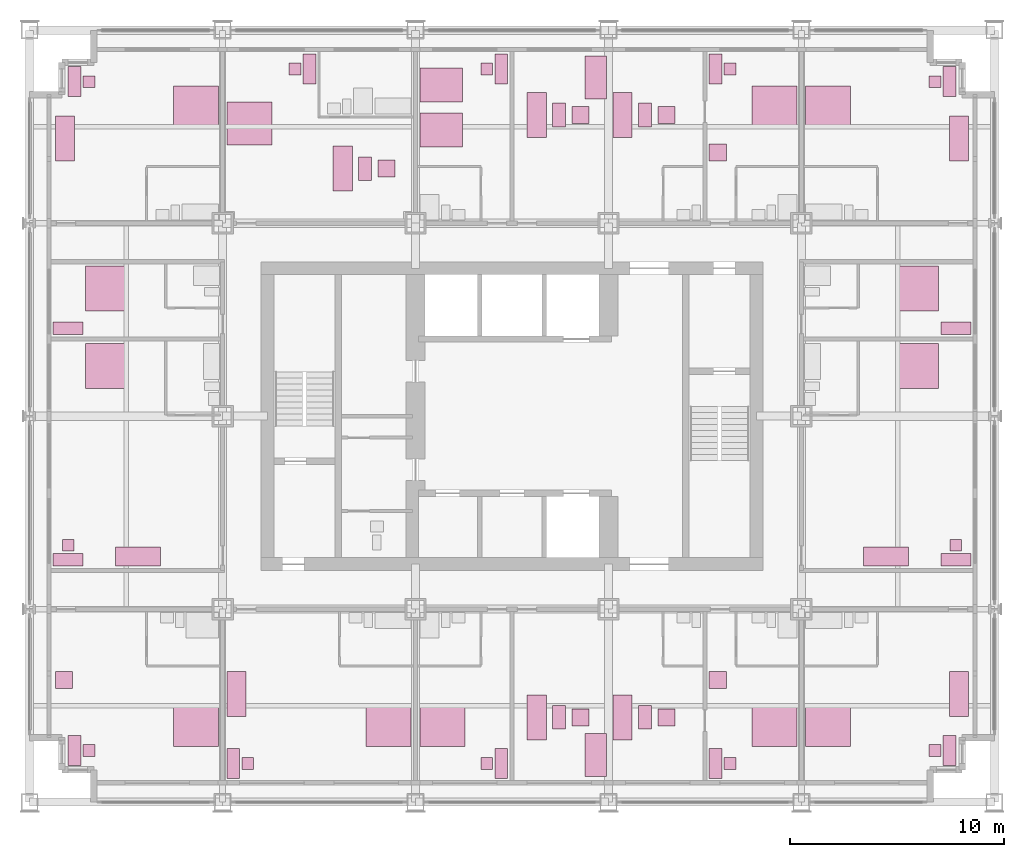
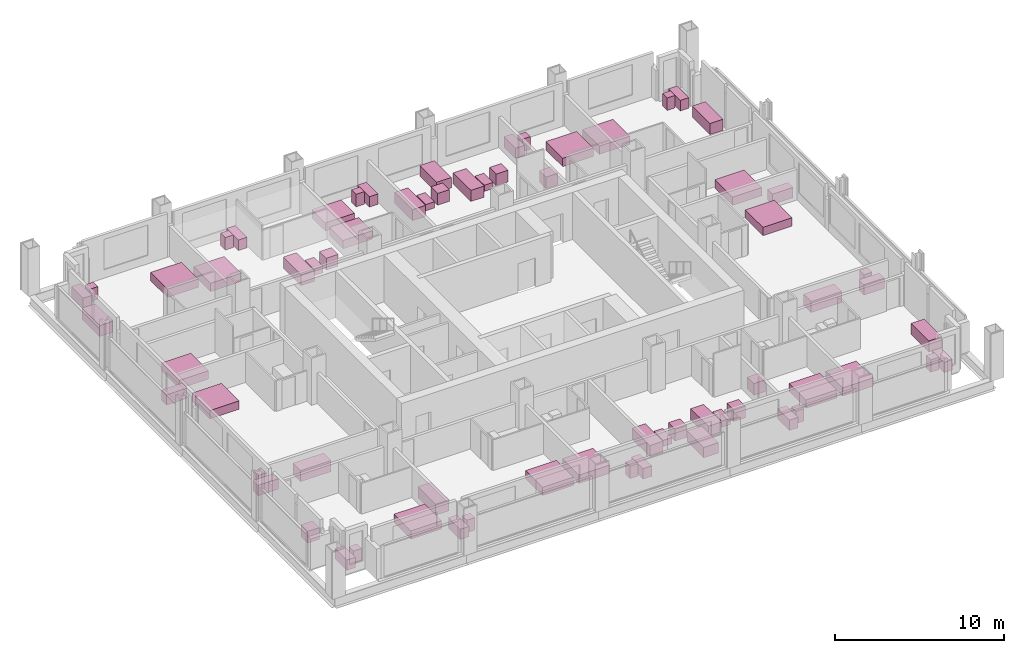
# One storey, part 17 of 17: 67 furniture elements.
"""IFC4 building model written with IfcOpenShell, lengths in metres."""

from ifc_helpers import new_model, si_unit, direction, frame, origin, origin_2d, place, context, subcontext, project, spatial, rectangle, extrude, element, save


model = new_model("IFC4")

# Units and contexts
model_context = context("Model", 3, precision=1e-05, world=origin(), true_north=direction((0.0, 1.0)))
body_context = subcontext(model_context, "Body", "Model", "MODEL_VIEW")
ifc_project = project(units=[si_unit("LENGTHUNIT", "METRE"), si_unit("AREAUNIT", "SQUARE_METRE"), si_unit("VOLUMEUNIT", "CUBIC_METRE"), si_unit("PLANEANGLEUNIT", "RADIAN"), si_unit("MASSUNIT", "GRAM", prefix="KILO")], contexts=[model_context])

# Site, building, storey
site_placement = place(None, origin())
site = spatial("IfcSite", under=ifc_project, at=site_placement, CompositionType="ELEMENT")
building_placement = place(site_placement, origin())
building = spatial("IfcBuilding", under=site, at=building_placement, Name="Loomwork Tower", CompositionType="ELEMENT")
storey_placement = place(building_placement, frame((0.0, 0.0, 152.0)))
storey = spatial("IfcBuildingStorey", under=building, at=storey_placement, Name="L41", CompositionType="ELEMENT", Elevation=152.0)

# Furniture
furniture_1_placement = place(storey_placement, frame((7.75, 3.60009765625, 0.0), z_axis=(0.0, 0.0, 1.0), x_axis=(1.0, 0.0, 0.0)))
element("IfcFurniture", 1, at=furniture_1_placement, inside=storey, Name="King bed L41", PredefinedType="BED", context=body_context, shape_type="SweptSolid", body=[
    extrude(rectangle(XDim=2.10009765625, YDim=2.0, at=origin_2d()), origin(), (0.0, 0.0, 1.0), 0.60009765625),
])
furniture_2_placement = place(storey_placement, frame((2.10009765625, 2.39990234375, 0.0), z_axis=(0.0, 0.0, 1.0), x_axis=(1.0, 0.0, 0.0)))
element("IfcFurniture", 2, at=furniture_2_placement, inside=storey, Name="Writing desk L41", PredefinedType="DESK", context=body_context, shape_type="SweptSolid", body=[
    extrude(rectangle(XDim=0.60009765625, YDim=1.39990234375, at=origin_2d()), origin(), (0.0, 0.0, 1.0), 0.75),
])
furniture_3_placement = place(storey_placement, frame((2.77490234375, 2.39990234375, 0.0), z_axis=(0.0, 0.0, 1.0), x_axis=(1.0, 0.0, 0.0)))
element("IfcFurniture", 3, at=furniture_3_placement, inside=storey, Name="Desk chair L41", PredefinedType="CHAIR", context=body_context, shape_type="SweptSolid", body=[
    extrude(rectangle(XDim=0.550048828125, YDim=0.550048828125, at=origin_2d()), origin(), (0.0, 0.0, 1.0), 0.89990234375),
])
furniture_4_placement = place(storey_placement, frame((1.60009765625, 5.699951171875, 0.0), z_axis=(0.0, 0.0, 1.0), x_axis=(1.0, 0.0, 0.0)))
element("IfcFurniture", 4, at=furniture_4_placement, inside=storey, Name="Lounge armchair L41", PredefinedType="CHAIR", context=body_context, shape_type="SweptSolid", body=[
    extrude(rectangle(XDim=0.800048828125, YDim=0.800048828125, at=origin_2d()), origin(), (0.0, 0.0, 1.0), 0.85009765625),
])
furniture_5_placement = place(storey_placement, frame((16.75, 3.60009765625, 0.0), z_axis=(0.0, 0.0, 1.0), x_axis=(1.0, 0.0, 0.0)))
element("IfcFurniture", 5, at=furniture_5_placement, inside=storey, Name="King bed L41", PredefinedType="BED", context=body_context, shape_type="SweptSolid", body=[
    extrude(rectangle(XDim=2.10009765625, YDim=2.0, at=origin_2d()), origin(), (0.0, 0.0, 1.0), 0.60009765625),
])
furniture_6_placement = place(storey_placement, frame((9.5, 1.800048828125, 0.0), z_axis=(0.0, 0.0, 1.0), x_axis=(1.0, 0.0, 0.0)))
element("IfcFurniture", 6, at=furniture_6_placement, inside=storey, Name="Writing desk L41", PredefinedType="DESK", context=body_context, shape_type="SweptSolid", body=[
    extrude(rectangle(XDim=0.60009765625, YDim=1.39990234375, at=origin_2d()), origin(), (0.0, 0.0, 1.0), 0.75),
])
furniture_7_placement = place(storey_placement, frame((10.175048828125, 1.800048828125, 0.0), z_axis=(0.0, 0.0, 1.0), x_axis=(1.0, 0.0, 0.0)))
element("IfcFurniture", 7, at=furniture_7_placement, inside=storey, Name="Desk chair L41", PredefinedType="CHAIR", context=body_context, shape_type="SweptSolid", body=[
    extrude(rectangle(XDim=0.550048828125, YDim=0.550048828125, at=origin_2d()), origin(), (0.0, 0.0, 1.0), 0.89990234375),
])
furniture_8_placement = place(storey_placement, frame((9.64990234375, 5.050048828125, 0.0), z_axis=(0.0, 0.0, 1.0), x_axis=(1.0, 0.0, 0.0)))
element("IfcFurniture", 8, at=furniture_8_placement, inside=storey, Name="Sofa L41", PredefinedType="SOFA", context=body_context, shape_type="SweptSolid", body=[
    extrude(rectangle(XDim=0.89990234375, YDim=2.10009765625, at=origin_2d()), origin(), (0.0, 0.0, 1.0), 0.800048828125),
])
furniture_9_placement = place(storey_placement, frame((19.25, 3.60009765625, 0.0), z_axis=(0.0, 0.0, 1.0), x_axis=(1.0, 0.0, 0.0)))
element("IfcFurniture", 9, at=furniture_9_placement, inside=storey, Name="King bed L41", PredefinedType="BED", context=body_context, shape_type="SweptSolid", body=[
    extrude(rectangle(XDim=2.10009765625, YDim=2.0, at=origin_2d()), origin(), (0.0, 0.0, 1.0), 0.60009765625),
])
furniture_10_placement = place(storey_placement, frame((22.0, 1.800048828125, 0.0), z_axis=(0.0, 0.0, 1.0), x_axis=(1.0, 0.0, 0.0)))
element("IfcFurniture", 10, at=furniture_10_placement, inside=storey, Name="Writing desk L41", PredefinedType="DESK", context=body_context, shape_type="SweptSolid", body=[
    extrude(rectangle(XDim=0.60009765625, YDim=1.39990234375, at=origin_2d()), origin(), (0.0, 0.0, 1.0), 0.75),
])
furniture_11_placement = place(storey_placement, frame((21.324951171875, 1.800048828125, 0.0), z_axis=(0.0, 0.0, 1.0), x_axis=(1.0, 0.0, 0.0)))
element("IfcFurniture", 11, at=furniture_11_placement, inside=storey, Name="Desk chair L41", PredefinedType="CHAIR", context=body_context, shape_type="SweptSolid", body=[
    extrude(rectangle(XDim=0.550048828125, YDim=0.550048828125, at=origin_2d()), origin(), (0.0, 0.0, 1.0), 0.89990234375),
])
furniture_12_placement = place(storey_placement, frame((23.64990234375, 3.949951171875, 0.0), z_axis=(0.0, 0.0, 1.0), x_axis=(1.0, 0.0, 0.0)))
element("IfcFurniture", 12, at=furniture_12_placement, inside=storey, Name="Sofa L41", PredefinedType="SOFA", context=body_context, shape_type="SweptSolid", body=[
    extrude(rectangle(XDim=0.89990234375, YDim=2.10009765625, at=origin_2d()), origin(), (0.0, 0.0, 1.0), 0.800048828125),
])
furniture_13_placement = place(storey_placement, frame((24.699951171875, 3.949951171875, 0.0), z_axis=(0.0, 0.0, 1.0), x_axis=(1.0, 0.0, 0.0)))
element("IfcFurniture", 13, at=furniture_13_placement, inside=storey, Name="Coffee table L41", PredefinedType="TABLE", context=body_context, shape_type="SweptSolid", body=[
    extrude(rectangle(XDim=0.60009765625, YDim=1.10009765625, at=origin_2d()), origin(), (0.0, 0.0, 1.0), 0.449951171875),
])
furniture_14_placement = place(storey_placement, frame((25.699951171875, 3.949951171875, 0.0), z_axis=(0.0, 0.0, 1.0), x_axis=(1.0, 0.0, 0.0)))
element("IfcFurniture", 14, at=furniture_14_placement, inside=storey, Name="Lounge armchair L41", PredefinedType="CHAIR", context=body_context, shape_type="SweptSolid", body=[
    extrude(rectangle(XDim=0.800048828125, YDim=0.800048828125, at=origin_2d()), origin(), (0.0, 0.0, 1.0), 0.85009765625),
])
furniture_15_placement = place(storey_placement, frame((27.64990234375, 3.949951171875, 0.0), z_axis=(0.0, 0.0, 1.0), x_axis=(1.0, 0.0, 0.0)))
element("IfcFurniture", 15, at=furniture_15_placement, inside=storey, Name="Sofa L41", PredefinedType="SOFA", context=body_context, shape_type="SweptSolid", body=[
    extrude(rectangle(XDim=0.89990234375, YDim=2.10009765625, at=origin_2d()), origin(), (0.0, 0.0, 1.0), 0.800048828125),
])
furniture_16_placement = place(storey_placement, frame((28.699951171875, 3.949951171875, 0.0), z_axis=(0.0, 0.0, 1.0), x_axis=(1.0, 0.0, 0.0)))
element("IfcFurniture", 16, at=furniture_16_placement, inside=storey, Name="Coffee table L41", PredefinedType="TABLE", context=body_context, shape_type="SweptSolid", body=[
    extrude(rectangle(XDim=0.60009765625, YDim=1.10009765625, at=origin_2d()), origin(), (0.0, 0.0, 1.0), 0.449951171875),
])
furniture_17_placement = place(storey_placement, frame((29.699951171875, 3.949951171875, 0.0), z_axis=(0.0, 0.0, 1.0), x_axis=(1.0, 0.0, 0.0)))
element("IfcFurniture", 17, at=furniture_17_placement, inside=storey, Name="Lounge armchair L41", PredefinedType="CHAIR", context=body_context, shape_type="SweptSolid", body=[
    extrude(rectangle(XDim=0.800048828125, YDim=0.800048828125, at=origin_2d()), origin(), (0.0, 0.0, 1.0), 0.85009765625),
])
furniture_18_placement = place(storey_placement, frame((26.39990234375, 2.199951171875, 0.0), z_axis=(0.0, 0.0, 1.0), x_axis=(1.0, 0.0, 0.0)))
element("IfcFurniture", 18, at=furniture_18_placement, inside=storey, Name="Dining table L41", PredefinedType="TABLE", context=body_context, shape_type="SweptSolid", body=[
    extrude(rectangle(XDim=1.0, YDim=2.0, at=origin_2d()), origin(), (0.0, 0.0, 1.0), 0.75),
])
furniture_19_placement = place(storey_placement, frame((34.75, 3.60009765625, 0.0), z_axis=(0.0, 0.0, 1.0), x_axis=(1.0, 0.0, 0.0)))
element("IfcFurniture", 19, at=furniture_19_placement, inside=storey, Name="King bed L41", PredefinedType="BED", context=body_context, shape_type="SweptSolid", body=[
    extrude(rectangle(XDim=2.10009765625, YDim=2.0, at=origin_2d()), origin(), (0.0, 0.0, 1.0), 0.60009765625),
])
furniture_20_placement = place(storey_placement, frame((32.0, 1.800048828125, 0.0), z_axis=(0.0, 0.0, 1.0), x_axis=(1.0, 0.0, 0.0)))
element("IfcFurniture", 20, at=furniture_20_placement, inside=storey, Name="Writing desk L41", PredefinedType="DESK", context=body_context, shape_type="SweptSolid", body=[
    extrude(rectangle(XDim=0.60009765625, YDim=1.39990234375, at=origin_2d()), origin(), (0.0, 0.0, 1.0), 0.75),
])
furniture_21_placement = place(storey_placement, frame((32.675048828125, 1.800048828125, 0.0), z_axis=(0.0, 0.0, 1.0), x_axis=(1.0, 0.0, 0.0)))
element("IfcFurniture", 21, at=furniture_21_placement, inside=storey, Name="Desk chair L41", PredefinedType="CHAIR", context=body_context, shape_type="SweptSolid", body=[
    extrude(rectangle(XDim=0.550048828125, YDim=0.550048828125, at=origin_2d()), origin(), (0.0, 0.0, 1.0), 0.89990234375),
])
furniture_22_placement = place(storey_placement, frame((32.10009765625, 5.699951171875, 0.0), z_axis=(0.0, 0.0, 1.0), x_axis=(1.0, 0.0, 0.0)))
element("IfcFurniture", 22, at=furniture_22_placement, inside=storey, Name="Lounge armchair L41", PredefinedType="CHAIR", context=body_context, shape_type="SweptSolid", body=[
    extrude(rectangle(XDim=0.800048828125, YDim=0.800048828125, at=origin_2d()), origin(), (0.0, 0.0, 1.0), 0.85009765625),
])
furniture_23_placement = place(storey_placement, frame((37.25, 3.60009765625, 0.0), z_axis=(0.0, 0.0, 1.0), x_axis=(1.0, 0.0, 0.0)))
element("IfcFurniture", 23, at=furniture_23_placement, inside=storey, Name="King bed L41", PredefinedType="BED", context=body_context, shape_type="SweptSolid", body=[
    extrude(rectangle(XDim=2.10009765625, YDim=2.0, at=origin_2d()), origin(), (0.0, 0.0, 1.0), 0.60009765625),
])
furniture_24_placement = place(storey_placement, frame((42.89990234375, 2.39990234375, 0.0), z_axis=(0.0, 0.0, 1.0), x_axis=(1.0, 0.0, 0.0)))
element("IfcFurniture", 24, at=furniture_24_placement, inside=storey, Name="Writing desk L41", PredefinedType="DESK", context=body_context, shape_type="SweptSolid", body=[
    extrude(rectangle(XDim=0.60009765625, YDim=1.39990234375, at=origin_2d()), origin(), (0.0, 0.0, 1.0), 0.75),
])
furniture_25_placement = place(storey_placement, frame((42.22509765625, 2.39990234375, 0.0), z_axis=(0.0, 0.0, 1.0), x_axis=(1.0, 0.0, 0.0)))
element("IfcFurniture", 25, at=furniture_25_placement, inside=storey, Name="Desk chair L41", PredefinedType="CHAIR", context=body_context, shape_type="SweptSolid", body=[
    extrude(rectangle(XDim=0.550048828125, YDim=0.550048828125, at=origin_2d()), origin(), (0.0, 0.0, 1.0), 0.89990234375),
])
furniture_26_placement = place(storey_placement, frame((43.35009765625, 5.050048828125, 0.0), z_axis=(0.0, 0.0, 1.0), x_axis=(1.0, 0.0, 0.0)))
element("IfcFurniture", 26, at=furniture_26_placement, inside=storey, Name="Sofa L41", PredefinedType="SOFA", context=body_context, shape_type="SweptSolid", body=[
    extrude(rectangle(XDim=0.89990234375, YDim=2.10009765625, at=origin_2d()), origin(), (0.0, 0.0, 1.0), 0.800048828125),
])
furniture_27_placement = place(storey_placement, frame((7.75, 32.39990234375, 0.0), z_axis=(0.0, 0.0, 1.0), x_axis=(1.0, 0.0, 0.0)))
element("IfcFurniture", 27, at=furniture_27_placement, inside=storey, Name="King bed L41", PredefinedType="BED", context=body_context, shape_type="SweptSolid", body=[
    extrude(rectangle(XDim=2.10009765625, YDim=2.0, at=origin_2d()), origin(), (0.0, 0.0, 1.0), 0.60009765625),
])
furniture_28_placement = place(storey_placement, frame((2.10009765625, 33.60009765625, 0.0), z_axis=(0.0, 0.0, 1.0), x_axis=(1.0, 0.0, 0.0)))
element("IfcFurniture", 28, at=furniture_28_placement, inside=storey, Name="Writing desk L41", PredefinedType="DESK", context=body_context, shape_type="SweptSolid", body=[
    extrude(rectangle(XDim=0.60009765625, YDim=1.39990234375, at=origin_2d()), origin(), (0.0, 0.0, 1.0), 0.75),
])
furniture_29_placement = place(storey_placement, frame((2.77490234375, 33.60009765625, 0.0), z_axis=(0.0, 0.0, 1.0), x_axis=(1.0, 0.0, 0.0)))
element("IfcFurniture", 29, at=furniture_29_placement, inside=storey, Name="Desk chair L41", PredefinedType="CHAIR", context=body_context, shape_type="SweptSolid", body=[
    extrude(rectangle(XDim=0.550048828125, YDim=0.550048828125, at=origin_2d()), origin(), (0.0, 0.0, 1.0), 0.89990234375),
])
furniture_30_placement = place(storey_placement, frame((1.64990234375, 30.949951171875, 0.0), z_axis=(0.0, 0.0, 1.0), x_axis=(1.0, 0.0, 0.0)))
element("IfcFurniture", 30, at=furniture_30_placement, inside=storey, Name="Sofa L41", PredefinedType="SOFA", context=body_context, shape_type="SweptSolid", body=[
    extrude(rectangle(XDim=0.89990234375, YDim=2.10009765625, at=origin_2d()), origin(), (0.0, 0.0, 1.0), 0.800048828125),
])
furniture_31_placement = place(storey_placement, frame((10.25, 31.64990234375, 0.0), z_axis=(0.0, 0.0, 1.0), x_axis=(1.0, 0.0, 0.0)))
element("IfcFurniture", 31, at=furniture_31_placement, inside=storey, Name="King bed L41", PredefinedType="BED", context=body_context, shape_type="SweptSolid", body=[
    extrude(rectangle(XDim=2.10009765625, YDim=2.0, at=origin_2d()), origin(), (0.0, 0.0, 1.0), 0.60009765625),
])
furniture_32_placement = place(storey_placement, frame((13.050048828125, 34.199951171875, 0.0), z_axis=(0.0, 0.0, 1.0), x_axis=(1.0, 0.0, 0.0)))
element("IfcFurniture", 32, at=furniture_32_placement, inside=storey, Name="Writing desk L41", PredefinedType="DESK", context=body_context, shape_type="SweptSolid", body=[
    extrude(rectangle(XDim=0.60009765625, YDim=1.39990234375, at=origin_2d()), origin(), (0.0, 0.0, 1.0), 0.75),
])
furniture_33_placement = place(storey_placement, frame((12.375, 34.199951171875, 0.0), z_axis=(0.0, 0.0, 1.0), x_axis=(1.0, 0.0, 0.0)))
element("IfcFurniture", 33, at=furniture_33_placement, inside=storey, Name="Desk chair L41", PredefinedType="CHAIR", context=body_context, shape_type="SweptSolid", body=[
    extrude(rectangle(XDim=0.550048828125, YDim=0.550048828125, at=origin_2d()), origin(), (0.0, 0.0, 1.0), 0.89990234375),
])
furniture_34_placement = place(storey_placement, frame((14.60009765625, 29.550048828125, 0.0), z_axis=(0.0, 0.0, 1.0), x_axis=(1.0, 0.0, 0.0)))
element("IfcFurniture", 34, at=furniture_34_placement, inside=storey, Name="Sofa L41", PredefinedType="SOFA", context=body_context, shape_type="SweptSolid", body=[
    extrude(rectangle(XDim=0.89990234375, YDim=2.10009765625, at=origin_2d()), origin(), (0.0, 0.0, 1.0), 0.800048828125),
])
furniture_35_placement = place(storey_placement, frame((15.64990234375, 29.550048828125, 0.0), z_axis=(0.0, 0.0, 1.0), x_axis=(1.0, 0.0, 0.0)))
element("IfcFurniture", 35, at=furniture_35_placement, inside=storey, Name="Coffee table L41", PredefinedType="TABLE", context=body_context, shape_type="SweptSolid", body=[
    extrude(rectangle(XDim=0.60009765625, YDim=1.10009765625, at=origin_2d()), origin(), (0.0, 0.0, 1.0), 0.449951171875),
])
furniture_36_placement = place(storey_placement, frame((16.64990234375, 29.550048828125, 0.0), z_axis=(0.0, 0.0, 1.0), x_axis=(1.0, 0.0, 0.0)))
element("IfcFurniture", 36, at=furniture_36_placement, inside=storey, Name="Lounge armchair L41", PredefinedType="CHAIR", context=body_context, shape_type="SweptSolid", body=[
    extrude(rectangle(XDim=0.800048828125, YDim=0.800048828125, at=origin_2d()), origin(), (0.0, 0.0, 1.0), 0.85009765625),
])
for number, where, z_axis, x_axis, name in (
    (37, (19.199951171875, 31.35009765625, 0.0), (0.0, 0.0, 1.0), (1.0, 0.0, 0.0), "Queen bed L41"),
    (38, (19.199951171875, 33.449951171875, 0.0), (0.0, 0.0, 1.0), (1.0, 0.0, 0.0), "Queen bed L41"),
):
    element("IfcFurniture", number, at=place(storey_placement, frame(where, z_axis=z_axis, x_axis=x_axis)), inside=storey, Name=name, PredefinedType="BED", context=body_context, shape_type="SweptSolid", body=[
        extrude(rectangle(XDim=2.0, YDim=1.60009765625, at=origin_2d()), origin(), (0.0, 0.0, 1.0), 0.60009765625),
    ])
furniture_37_placement = place(storey_placement, frame((22.0, 34.199951171875, 0.0), z_axis=(0.0, 0.0, 1.0), x_axis=(1.0, 0.0, 0.0)))
element("IfcFurniture", 39, at=furniture_37_placement, inside=storey, Name="Writing desk L41", PredefinedType="DESK", context=body_context, shape_type="SweptSolid", body=[
    extrude(rectangle(XDim=0.60009765625, YDim=1.39990234375, at=origin_2d()), origin(), (0.0, 0.0, 1.0), 0.75),
])
furniture_38_placement = place(storey_placement, frame((21.324951171875, 34.199951171875, 0.0), z_axis=(0.0, 0.0, 1.0), x_axis=(1.0, 0.0, 0.0)))
element("IfcFurniture", 40, at=furniture_38_placement, inside=storey, Name="Desk chair L41", PredefinedType="CHAIR", context=body_context, shape_type="SweptSolid", body=[
    extrude(rectangle(XDim=0.550048828125, YDim=0.550048828125, at=origin_2d()), origin(), (0.0, 0.0, 1.0), 0.89990234375),
])
furniture_39_placement = place(storey_placement, frame((23.64990234375, 32.050048828125, 0.0), z_axis=(0.0, 0.0, 1.0), x_axis=(1.0, 0.0, 0.0)))
element("IfcFurniture", 41, at=furniture_39_placement, inside=storey, Name="Sofa L41", PredefinedType="SOFA", context=body_context, shape_type="SweptSolid", body=[
    extrude(rectangle(XDim=0.89990234375, YDim=2.10009765625, at=origin_2d()), origin(), (0.0, 0.0, 1.0), 0.800048828125),
])
furniture_40_placement = place(storey_placement, frame((24.699951171875, 32.050048828125, 0.0), z_axis=(0.0, 0.0, 1.0), x_axis=(1.0, 0.0, 0.0)))
element("IfcFurniture", 42, at=furniture_40_placement, inside=storey, Name="Coffee table L41", PredefinedType="TABLE", context=body_context, shape_type="SweptSolid", body=[
    extrude(rectangle(XDim=0.60009765625, YDim=1.10009765625, at=origin_2d()), origin(), (0.0, 0.0, 1.0), 0.449951171875),
])
furniture_41_placement = place(storey_placement, frame((25.699951171875, 32.050048828125, 0.0), z_axis=(0.0, 0.0, 1.0), x_axis=(1.0, 0.0, 0.0)))
element("IfcFurniture", 43, at=furniture_41_placement, inside=storey, Name="Lounge armchair L41", PredefinedType="CHAIR", context=body_context, shape_type="SweptSolid", body=[
    extrude(rectangle(XDim=0.800048828125, YDim=0.800048828125, at=origin_2d()), origin(), (0.0, 0.0, 1.0), 0.85009765625),
])
furniture_42_placement = place(storey_placement, frame((27.64990234375, 32.050048828125, 0.0), z_axis=(0.0, 0.0, 1.0), x_axis=(1.0, 0.0, 0.0)))
element("IfcFurniture", 44, at=furniture_42_placement, inside=storey, Name="Sofa L41", PredefinedType="SOFA", context=body_context, shape_type="SweptSolid", body=[
    extrude(rectangle(XDim=0.89990234375, YDim=2.10009765625, at=origin_2d()), origin(), (0.0, 0.0, 1.0), 0.800048828125),
])
furniture_43_placement = place(storey_placement, frame((28.699951171875, 32.050048828125, 0.0), z_axis=(0.0, 0.0, 1.0), x_axis=(1.0, 0.0, 0.0)))
element("IfcFurniture", 45, at=furniture_43_placement, inside=storey, Name="Coffee table L41", PredefinedType="TABLE", context=body_context, shape_type="SweptSolid", body=[
    extrude(rectangle(XDim=0.60009765625, YDim=1.10009765625, at=origin_2d()), origin(), (0.0, 0.0, 1.0), 0.449951171875),
])
furniture_44_placement = place(storey_placement, frame((29.699951171875, 32.050048828125, 0.0), z_axis=(0.0, 0.0, 1.0), x_axis=(1.0, 0.0, 0.0)))
element("IfcFurniture", 46, at=furniture_44_placement, inside=storey, Name="Lounge armchair L41", PredefinedType="CHAIR", context=body_context, shape_type="SweptSolid", body=[
    extrude(rectangle(XDim=0.800048828125, YDim=0.800048828125, at=origin_2d()), origin(), (0.0, 0.0, 1.0), 0.85009765625),
])
furniture_45_placement = place(storey_placement, frame((26.39990234375, 33.800048828125, 0.0), z_axis=(0.0, 0.0, 1.0), x_axis=(1.0, 0.0, 0.0)))
element("IfcFurniture", 47, at=furniture_45_placement, inside=storey, Name="Dining table L41", PredefinedType="TABLE", context=body_context, shape_type="SweptSolid", body=[
    extrude(rectangle(XDim=1.0, YDim=2.0, at=origin_2d()), origin(), (0.0, 0.0, 1.0), 0.75),
])
furniture_46_placement = place(storey_placement, frame((34.75, 32.39990234375, 0.0), z_axis=(0.0, 0.0, 1.0), x_axis=(1.0, 0.0, 0.0)))
element("IfcFurniture", 48, at=furniture_46_placement, inside=storey, Name="King bed L41", PredefinedType="BED", context=body_context, shape_type="SweptSolid", body=[
    extrude(rectangle(XDim=2.10009765625, YDim=2.0, at=origin_2d()), origin(), (0.0, 0.0, 1.0), 0.60009765625),
])
furniture_47_placement = place(storey_placement, frame((32.0, 34.199951171875, 0.0), z_axis=(0.0, 0.0, 1.0), x_axis=(1.0, 0.0, 0.0)))
element("IfcFurniture", 49, at=furniture_47_placement, inside=storey, Name="Writing desk L41", PredefinedType="DESK", context=body_context, shape_type="SweptSolid", body=[
    extrude(rectangle(XDim=0.60009765625, YDim=1.39990234375, at=origin_2d()), origin(), (0.0, 0.0, 1.0), 0.75),
])
furniture_48_placement = place(storey_placement, frame((32.675048828125, 34.199951171875, 0.0), z_axis=(0.0, 0.0, 1.0), x_axis=(1.0, 0.0, 0.0)))
element("IfcFurniture", 50, at=furniture_48_placement, inside=storey, Name="Desk chair L41", PredefinedType="CHAIR", context=body_context, shape_type="SweptSolid", body=[
    extrude(rectangle(XDim=0.550048828125, YDim=0.550048828125, at=origin_2d()), origin(), (0.0, 0.0, 1.0), 0.89990234375),
])
furniture_49_placement = place(storey_placement, frame((32.10009765625, 30.300048828125, 0.0), z_axis=(0.0, 0.0, 1.0), x_axis=(1.0, 0.0, 0.0)))
element("IfcFurniture", 51, at=furniture_49_placement, inside=storey, Name="Lounge armchair L41", PredefinedType="CHAIR", context=body_context, shape_type="SweptSolid", body=[
    extrude(rectangle(XDim=0.800048828125, YDim=0.800048828125, at=origin_2d()), origin(), (0.0, 0.0, 1.0), 0.85009765625),
])
furniture_50_placement = place(storey_placement, frame((37.25, 32.39990234375, 0.0), z_axis=(0.0, 0.0, 1.0), x_axis=(1.0, 0.0, 0.0)))
element("IfcFurniture", 52, at=furniture_50_placement, inside=storey, Name="King bed L41", PredefinedType="BED", context=body_context, shape_type="SweptSolid", body=[
    extrude(rectangle(XDim=2.10009765625, YDim=2.0, at=origin_2d()), origin(), (0.0, 0.0, 1.0), 0.60009765625),
])
furniture_51_placement = place(storey_placement, frame((42.89990234375, 33.60009765625, 0.0), z_axis=(0.0, 0.0, 1.0), x_axis=(1.0, 0.0, 0.0)))
element("IfcFurniture", 53, at=furniture_51_placement, inside=storey, Name="Writing desk L41", PredefinedType="DESK", context=body_context, shape_type="SweptSolid", body=[
    extrude(rectangle(XDim=0.60009765625, YDim=1.39990234375, at=origin_2d()), origin(), (0.0, 0.0, 1.0), 0.75),
])
furniture_52_placement = place(storey_placement, frame((42.22509765625, 33.60009765625, 0.0), z_axis=(0.0, 0.0, 1.0), x_axis=(1.0, 0.0, 0.0)))
element("IfcFurniture", 54, at=furniture_52_placement, inside=storey, Name="Desk chair L41", PredefinedType="CHAIR", context=body_context, shape_type="SweptSolid", body=[
    extrude(rectangle(XDim=0.550048828125, YDim=0.550048828125, at=origin_2d()), origin(), (0.0, 0.0, 1.0), 0.89990234375),
])
furniture_53_placement = place(storey_placement, frame((43.35009765625, 30.949951171875, 0.0), z_axis=(0.0, 0.0, 1.0), x_axis=(1.0, 0.0, 0.0)))
element("IfcFurniture", 55, at=furniture_53_placement, inside=storey, Name="Sofa L41", PredefinedType="SOFA", context=body_context, shape_type="SweptSolid", body=[
    extrude(rectangle(XDim=0.89990234375, YDim=2.10009765625, at=origin_2d()), origin(), (0.0, 0.0, 1.0), 0.800048828125),
])
furniture_54_placement = place(storey_placement, frame((3.60009765625, 20.35009765625, 0.0), z_axis=(0.0, 0.0, 1.0), x_axis=(1.0, 0.0, 0.0)))
element("IfcFurniture", 56, at=furniture_54_placement, inside=storey, Name="King bed L41", PredefinedType="BED", context=body_context, shape_type="SweptSolid", body=[
    extrude(rectangle(XDim=2.0, YDim=2.10009765625, at=origin_2d()), origin(), (0.0, 0.0, 1.0), 0.60009765625),
])
furniture_55_placement = place(storey_placement, frame((1.800048828125, 11.300048828125, 0.0), z_axis=(0.0, 0.0, 1.0), x_axis=(1.0, 0.0, 0.0)))
element("IfcFurniture", 57, at=furniture_55_placement, inside=storey, Name="Writing desk L41", PredefinedType="DESK", context=body_context, shape_type="SweptSolid", body=[
    extrude(rectangle(XDim=1.39990234375, YDim=0.60009765625, at=origin_2d()), origin(), (0.0, 0.0, 1.0), 0.75),
])
furniture_56_placement = place(storey_placement, frame((1.800048828125, 11.97509765625, 0.0), z_axis=(0.0, 0.0, 1.0), x_axis=(1.0, 0.0, 0.0)))
element("IfcFurniture", 58, at=furniture_56_placement, inside=storey, Name="Desk chair L41", PredefinedType="CHAIR", context=body_context, shape_type="SweptSolid", body=[
    extrude(rectangle(XDim=0.550048828125, YDim=0.550048828125, at=origin_2d()), origin(), (0.0, 0.0, 1.0), 0.89990234375),
])
furniture_57_placement = place(storey_placement, frame((5.050048828125, 11.449951171875, 0.0), z_axis=(0.0, 0.0, 1.0), x_axis=(1.0, 0.0, 0.0)))
element("IfcFurniture", 59, at=furniture_57_placement, inside=storey, Name="Sofa L41", PredefinedType="SOFA", context=body_context, shape_type="SweptSolid", body=[
    extrude(rectangle(XDim=2.10009765625, YDim=0.89990234375, at=origin_2d()), origin(), (0.0, 0.0, 1.0), 0.800048828125),
])
furniture_58_placement = place(storey_placement, frame((3.60009765625, 23.949951171875, 0.0), z_axis=(0.0, 0.0, 1.0), x_axis=(1.0, 0.0, 0.0)))
element("IfcFurniture", 60, at=furniture_58_placement, inside=storey, Name="King bed L41", PredefinedType="BED", context=body_context, shape_type="SweptSolid", body=[
    extrude(rectangle(XDim=2.0, YDim=2.10009765625, at=origin_2d()), origin(), (0.0, 0.0, 1.0), 0.60009765625),
])
furniture_59_placement = place(storey_placement, frame((1.800048828125, 22.10009765625, 0.0), z_axis=(0.0, 0.0, 1.0), x_axis=(1.0, 0.0, 0.0)))
element("IfcFurniture", 61, at=furniture_59_placement, inside=storey, Name="Writing desk L41", PredefinedType="DESK", context=body_context, shape_type="SweptSolid", body=[
    extrude(rectangle(XDim=1.39990234375, YDim=0.60009765625, at=origin_2d()), origin(), (0.0, 0.0, 1.0), 0.75),
])
furniture_60_placement = place(storey_placement, frame((41.39990234375, 20.35009765625, 0.0), z_axis=(0.0, 0.0, 1.0), x_axis=(1.0, 0.0, 0.0)))
element("IfcFurniture", 62, at=furniture_60_placement, inside=storey, Name="King bed L41", PredefinedType="BED", context=body_context, shape_type="SweptSolid", body=[
    extrude(rectangle(XDim=2.0, YDim=2.10009765625, at=origin_2d()), origin(), (0.0, 0.0, 1.0), 0.60009765625),
])
furniture_61_placement = place(storey_placement, frame((43.199951171875, 11.300048828125, 0.0), z_axis=(0.0, 0.0, 1.0), x_axis=(1.0, 0.0, 0.0)))
element("IfcFurniture", 63, at=furniture_61_placement, inside=storey, Name="Writing desk L41", PredefinedType="DESK", context=body_context, shape_type="SweptSolid", body=[
    extrude(rectangle(XDim=1.39990234375, YDim=0.60009765625, at=origin_2d()), origin(), (0.0, 0.0, 1.0), 0.75),
])
furniture_62_placement = place(storey_placement, frame((43.199951171875, 11.97509765625, 0.0), z_axis=(0.0, 0.0, 1.0), x_axis=(1.0, 0.0, 0.0)))
element("IfcFurniture", 64, at=furniture_62_placement, inside=storey, Name="Desk chair L41", PredefinedType="CHAIR", context=body_context, shape_type="SweptSolid", body=[
    extrude(rectangle(XDim=0.550048828125, YDim=0.550048828125, at=origin_2d()), origin(), (0.0, 0.0, 1.0), 0.89990234375),
])
furniture_63_placement = place(storey_placement, frame((39.949951171875, 11.449951171875, 0.0), z_axis=(0.0, 0.0, 1.0), x_axis=(1.0, 0.0, 0.0)))
element("IfcFurniture", 65, at=furniture_63_placement, inside=storey, Name="Sofa L41", PredefinedType="SOFA", context=body_context, shape_type="SweptSolid", body=[
    extrude(rectangle(XDim=2.10009765625, YDim=0.89990234375, at=origin_2d()), origin(), (0.0, 0.0, 1.0), 0.800048828125),
])
furniture_64_placement = place(storey_placement, frame((41.39990234375, 23.949951171875, 0.0), z_axis=(0.0, 0.0, 1.0), x_axis=(1.0, 0.0, 0.0)))
element("IfcFurniture", 66, at=furniture_64_placement, inside=storey, Name="King bed L41", PredefinedType="BED", context=body_context, shape_type="SweptSolid", body=[
    extrude(rectangle(XDim=2.0, YDim=2.10009765625, at=origin_2d()), origin(), (0.0, 0.0, 1.0), 0.60009765625),
])
furniture_65_placement = place(storey_placement, frame((43.199951171875, 22.10009765625, 0.0), z_axis=(0.0, 0.0, 1.0), x_axis=(1.0, 0.0, 0.0)))
element("IfcFurniture", 67, at=furniture_65_placement, inside=storey, Name="Writing desk L41", PredefinedType="DESK", context=body_context, shape_type="SweptSolid", body=[
    extrude(rectangle(XDim=1.39990234375, YDim=0.60009765625, at=origin_2d()), origin(), (0.0, 0.0, 1.0), 0.75),
])

save(model, "model.ifc")
